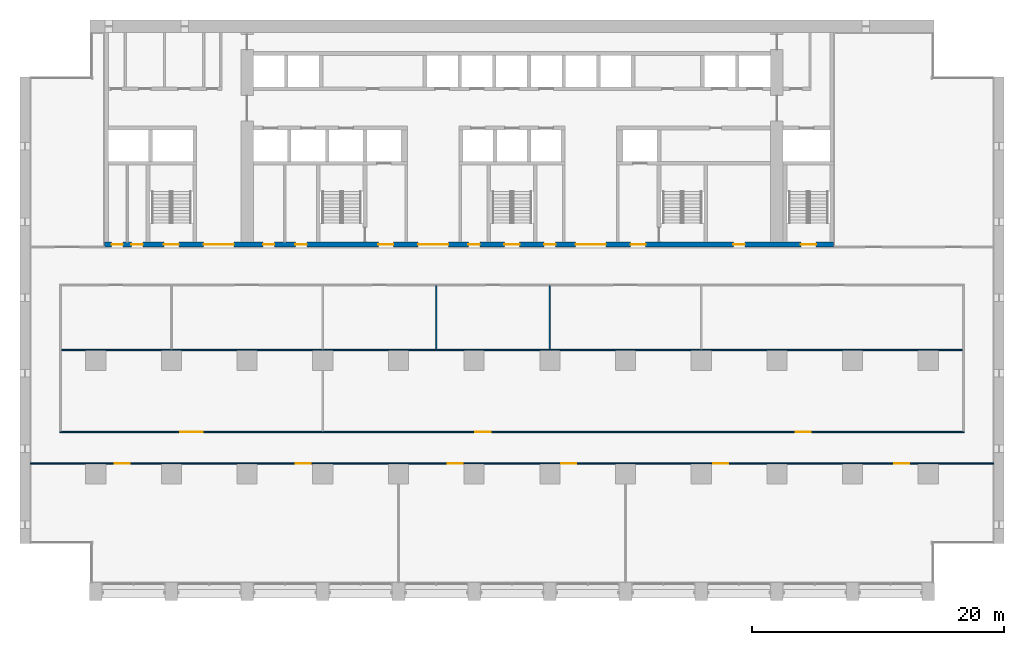
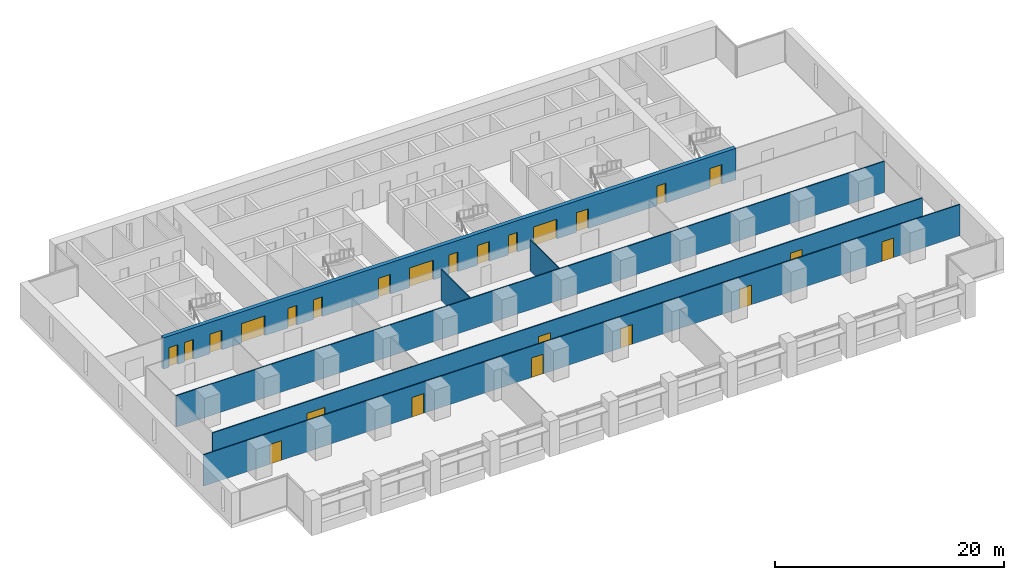
# One storey, part 9 of 17: 24 doors, 6 walls, 24 openings.
"""IFC4 building model written with IfcOpenShell, lengths in metres."""

from ifc_helpers import new_model, si_unit, direction, frame, frame_2d, origin, place, context, subcontext, project, spatial, rectangle, extrude, material, layer, layer_set, type_object, element, fill, save


model = new_model("IFC4")

# Units and contexts
model_context = context("Model", 3, precision=1e-05, world=origin(), true_north=direction((0.0, 1.0)))
body_context = subcontext(model_context, "Body", "Model", "MODEL_VIEW")
ifc_project = project(units=[si_unit("LENGTHUNIT", "METRE"), si_unit("AREAUNIT", "SQUARE_METRE"), si_unit("VOLUMEUNIT", "CUBIC_METRE"), si_unit("PLANEANGLEUNIT", "RADIAN"), si_unit("MASSUNIT", "GRAM", prefix="KILO")], contexts=[model_context])

# Site, building, storey
site_placement = place(None, origin())
site = spatial("IfcSite", under=ifc_project, at=site_placement, CompositionType="ELEMENT")
building_placement = place(site_placement, origin())
building = spatial("IfcBuilding", under=site, at=building_placement, Name="Calvaro Tower", CompositionType="ELEMENT")
storey_placement = place(building_placement, frame((0.0, 0.0, 67.5)))
storey = spatial("IfcBuildingStorey", under=building, at=storey_placement, Name="L16", CompositionType="ELEMENT", Elevation=67.5)

# Wall, openings, doors
ifc_material_1 = material(Name="Concrete C80/95", Category="concrete")
ifc_layer_1 = layer(ifc_material_1, 0.39990234375)
ifc_layer_set_1 = layer_set([ifc_layer_1], Name="Concrete C80/95")
wall_type_1 = type_object("IfcWallType", Name="Core wall C80/95 400", PredefinedType="SHEAR", material=ifc_layer_set_1)
wall_1_placement = place(storey_placement, frame((6.699951171875, 28.199951171875, 0.0), z_axis=(0.0, 0.0, 1.0), x_axis=(1.0, 0.0, 0.0)))
wall_1 = element("IfcWall", 1, at=wall_1_placement, inside=storey, type_object=wall_type_1, Name="Core wall, front", PredefinedType="SHEAR", context=body_context, shape_type="SweptSolid", body=[
    extrude(rectangle(XDim=57.800048828125, YDim=0.39990234375, at=frame_2d((28.89990234375, 0.0))), origin(), (0.0, 0.0, 1.0), 3.35009765625),
])
opening_1_placement = place(wall_1_placement, frame((12.5625, 0.0, 0.0)))
opening_1 = element("IfcOpeningElement", 2, at=opening_1_placement, cuts=wall_1, Name="Opening RD9E", PredefinedType="OPENING", context=body_context, shape_type="SweptSolid", body=[
    extrude(rectangle(XDim=0.89990234375, YDim=2.10009765625, at=frame_2d((0.449951171875, 1.050048828125))), frame((0.0, 0.2099609375, 0.0), z_axis=(0.0, -1.0, 0.0), x_axis=(1.0, 0.0, 0.0)), (0.0, 0.0, 1.0), 0.419921875),
])
opening_2_placement = place(wall_1_placement, frame((15.137451171875, 0.0, 0.0)))
opening_2 = element("IfcOpeningElement", 3, at=opening_2_placement, cuts=wall_1, Name="Opening RD9C", PredefinedType="OPENING", context=body_context, shape_type="SweptSolid", body=[
    extrude(rectangle(XDim=0.89990234375, YDim=2.10009765625, at=frame_2d((0.449951171875, 1.050048828125))), frame((0.0, 0.2099609375, 0.0), z_axis=(0.0, -1.0, 0.0), x_axis=(1.0, 0.0, 0.0)), (0.0, 0.0, 1.0), 0.419921875),
])
opening_3_placement = place(wall_1_placement, frame((49.85009765625, 0.0, 0.0)))
opening_3 = element("IfcOpeningElement", 4, at=opening_3_placement, cuts=wall_1, Name="Opening RD9E", PredefinedType="OPENING", context=body_context, shape_type="SweptSolid", body=[
    extrude(rectangle(XDim=0.89990234375, YDim=2.10009765625, at=frame_2d((0.449951171875, 1.050048828125))), frame((0.0, 0.2099609375, 0.0), z_axis=(0.0, -1.0, 0.0), x_axis=(1.0, 0.0, 0.0)), (0.0, 0.0, 1.0), 0.419921875),
])
opening_4_placement = place(wall_1_placement, frame((0.5625, 0.0, 0.0)))
opening_4 = element("IfcOpeningElement", 5, at=opening_4_placement, cuts=wall_1, Name="Opening RD9C", PredefinedType="OPENING", context=body_context, shape_type="SweptSolid", body=[
    extrude(rectangle(XDim=0.89990234375, YDim=2.10009765625, at=frame_2d((0.449951171875, 1.050048828125))), frame((0.0, 0.2099609375, 0.0), z_axis=(0.0, -1.0, 0.0), x_axis=(1.0, 0.0, 0.0)), (0.0, 0.0, 1.0), 0.419921875),
])
opening_5_placement = place(wall_1_placement, frame((2.137451171875, 0.0, 0.0)))
opening_5 = element("IfcOpeningElement", 6, at=opening_5_placement, cuts=wall_1, Name="Opening RD9E", PredefinedType="OPENING", context=body_context, shape_type="SweptSolid", body=[
    extrude(rectangle(XDim=0.89990234375, YDim=2.10009765625, at=frame_2d((0.449951171875, 1.050048828125))), frame((0.0, 0.2099609375, 0.0), z_axis=(0.0, -1.0, 0.0), x_axis=(1.0, 0.0, 0.0)), (0.0, 0.0, 1.0), 0.419921875),
])
opening_6_placement = place(wall_1_placement, frame((4.699951171875, 0.0, 0.0)))
opening_6 = element("IfcOpeningElement", 7, at=opening_6_placement, cuts=wall_1, Name="Opening SD12D", PredefinedType="OPENING", context=body_context, shape_type="SweptSolid", body=[
    extrude(rectangle(XDim=1.199951171875, YDim=2.10009765625, at=frame_2d((0.60009765625, 1.050048828125))), frame((0.0, 0.2099609375, 0.0), z_axis=(0.0, -1.0, 0.0), x_axis=(1.0, 0.0, 0.0)), (0.0, 0.0, 1.0), 0.419921875),
])
opening_7_placement = place(wall_1_placement, frame((31.699951171875, 0.0, 0.0)))
opening_7 = element("IfcOpeningElement", 8, at=opening_7_placement, cuts=wall_1, Name="Opening SD12D", PredefinedType="OPENING", context=body_context, shape_type="SweptSolid", body=[
    extrude(rectangle(XDim=1.199951171875, YDim=2.10009765625, at=frame_2d((0.60009765625, 1.050048828125))), frame((0.0, 0.2099609375, 0.0), z_axis=(0.0, -1.0, 0.0), x_axis=(1.0, 0.0, 0.0)), (0.0, 0.0, 1.0), 0.419921875),
])
opening_8_placement = place(wall_1_placement, frame((55.199951171875, 0.0, 0.0)))
opening_8 = element("IfcOpeningElement", 9, at=opening_8_placement, cuts=wall_1, Name="Opening SD12D", PredefinedType="OPENING", context=body_context, shape_type="SweptSolid", body=[
    extrude(rectangle(XDim=1.199951171875, YDim=2.10009765625, at=frame_2d((0.60009765625, 1.050048828125))), frame((0.0, 0.2099609375, 0.0), z_axis=(0.0, -1.0, 0.0), x_axis=(1.0, 0.0, 0.0)), (0.0, 0.0, 1.0), 0.419921875),
])
opening_9_placement = place(wall_1_placement, frame((21.699951171875, 0.0, 0.0)))
opening_9 = element("IfcOpeningElement", 10, at=opening_9_placement, cuts=wall_1, Name="Opening FD12F", PredefinedType="OPENING", context=body_context, shape_type="SweptSolid", body=[
    extrude(rectangle(XDim=1.199951171875, YDim=2.10009765625, at=frame_2d((0.60009765625, 1.050048828125))), frame((0.0, 0.2099609375, 0.0), z_axis=(0.0, -1.0, 0.0), x_axis=(1.0, 0.0, 0.0)), (0.0, 0.0, 1.0), 0.419921875),
])
opening_10_placement = place(wall_1_placement, frame((41.699951171875, 0.0, 0.0)))
opening_10 = element("IfcOpeningElement", 11, at=opening_10_placement, cuts=wall_1, Name="Opening FD12F", PredefinedType="OPENING", context=body_context, shape_type="SweptSolid", body=[
    extrude(rectangle(XDim=1.199951171875, YDim=2.10009765625, at=frame_2d((0.60009765625, 1.050048828125))), frame((0.0, 0.2099609375, 0.0), z_axis=(0.0, -1.0, 0.0), x_axis=(1.0, 0.0, 0.0)), (0.0, 0.0, 1.0), 0.419921875),
])
opening_11_placement = place(wall_1_placement, frame((24.85009765625, 0.0, 0.0)))
opening_11 = element("IfcOpeningElement", 12, at=opening_11_placement, cuts=wall_1, Name="Opening DD24D", PredefinedType="OPENING", context=body_context, shape_type="SweptSolid", body=[
    extrude(rectangle(XDim=2.39990234375, YDim=2.10009765625, at=frame_2d((1.199951171875, 1.050048828125))), frame((0.0, 0.2099609375, 0.0), z_axis=(0.0, -1.0, 0.0), x_axis=(1.0, 0.0, 0.0)), (0.0, 0.0, 1.0), 0.419921875),
])
opening_12_placement = place(wall_1_placement, frame((37.35009765625, 0.0, 0.0)))
opening_12 = element("IfcOpeningElement", 13, at=opening_12_placement, cuts=wall_1, Name="Opening DD24D", PredefinedType="OPENING", context=body_context, shape_type="SweptSolid", body=[
    extrude(rectangle(XDim=2.39990234375, YDim=2.10009765625, at=frame_2d((1.199951171875, 1.050048828125))), frame((0.0, 0.2099609375, 0.0), z_axis=(0.0, -1.0, 0.0), x_axis=(1.0, 0.0, 0.0)), (0.0, 0.0, 1.0), 0.419921875),
])
opening_13_placement = place(wall_1_placement, frame((7.85009765625, 0.0, 0.0)))
opening_13 = element("IfcOpeningElement", 14, at=opening_13_placement, cuts=wall_1, Name="Opening DD24D", PredefinedType="OPENING", context=body_context, shape_type="SweptSolid", body=[
    extrude(rectangle(XDim=2.39990234375, YDim=2.10009765625, at=frame_2d((1.199951171875, 1.050048828125))), frame((0.0, 0.2099609375, 0.0), z_axis=(0.0, -1.0, 0.0), x_axis=(1.0, 0.0, 0.0)), (0.0, 0.0, 1.0), 0.419921875),
])
opening_14_placement = place(wall_1_placement, frame((28.85009765625, 0.0, 0.0)))
opening_14 = element("IfcOpeningElement", 15, at=opening_14_placement, cuts=wall_1, Name="Opening RD9E", PredefinedType="OPENING", context=body_context, shape_type="SweptSolid", body=[
    extrude(rectangle(XDim=0.89990234375, YDim=2.10009765625, at=frame_2d((0.449951171875, 1.050048828125))), frame((0.0, 0.2099609375, 0.0), z_axis=(0.0, -1.0, 0.0), x_axis=(1.0, 0.0, 0.0)), (0.0, 0.0, 1.0), 0.419921875),
])
opening_15_placement = place(wall_1_placement, frame((34.85009765625, 0.0, 0.0)))
opening_15 = element("IfcOpeningElement", 16, at=opening_15_placement, cuts=wall_1, Name="Opening RD9E", PredefinedType="OPENING", context=body_context, shape_type="SweptSolid", body=[
    extrude(rectangle(XDim=0.89990234375, YDim=2.10009765625, at=frame_2d((0.449951171875, 1.050048828125))), frame((0.0, 0.2099609375, 0.0), z_axis=(0.0, -1.0, 0.0), x_axis=(1.0, 0.0, 0.0)), (0.0, 0.0, 1.0), 0.419921875),
])
ifc_material_2 = material(Name="Steel door set", Category="steel")
door_type_1 = type_object("IfcDoorType", Name="Fire door 1200 FD60S", OperationType="SINGLE_SWING_LEFT", PredefinedType="DOOR", material=ifc_material_2)
door_1_placement = place(opening_9_placement, origin())
door_1 = element("IfcDoor", 17, at=door_1_placement, inside=storey, type_object=door_type_1, Name="Fire door", OperationType="SINGLE_SWING_LEFT", OverallHeight=2.10009765625, OverallWidth=1.199951171875, PredefinedType="DOOR", context=body_context, shape_type="SweptSolid", body=[
    extrude(rectangle(XDim=1.199951171875, YDim=2.10009765625, at=frame_2d((0.60009765625, 1.050048828125))), frame((0.0, 0.02490234375, 0.0), z_axis=(0.0, -1.0, 0.0), x_axis=(1.0, 0.0, 0.0)), (0.0, 0.0, 1.0), 0.050048828125),
])
fill(opening_9, door_1)
door_2_placement = place(opening_10_placement, origin())
door_2 = element("IfcDoor", 18, at=door_2_placement, inside=storey, type_object=door_type_1, Name="Fire door", OperationType="SINGLE_SWING_LEFT", OverallHeight=2.10009765625, OverallWidth=1.199951171875, PredefinedType="DOOR", context=body_context, shape_type="SweptSolid", body=[
    extrude(rectangle(XDim=1.199951171875, YDim=2.10009765625, at=frame_2d((0.60009765625, 1.050048828125))), frame((0.0, 0.02490234375, 0.0), z_axis=(0.0, -1.0, 0.0), x_axis=(1.0, 0.0, 0.0)), (0.0, 0.0, 1.0), 0.050048828125),
])
fill(opening_10, door_2)
ifc_material_3 = material(Name="Steel door set", Category="steel")
door_type_2 = type_object("IfcDoorType", Name="Lobby double door 2400 FD30S", OperationType="DOUBLE_DOOR_SINGLE_SWING", PredefinedType="DOOR", material=ifc_material_3)
door_3_placement = place(opening_11_placement, origin())
door_3 = element("IfcDoor", 19, at=door_3_placement, inside=storey, type_object=door_type_2, Name="Lobby double door", OperationType="DOUBLE_DOOR_SINGLE_SWING", OverallHeight=2.10009765625, OverallWidth=2.39990234375, PredefinedType="DOOR", context=body_context, shape_type="SweptSolid", body=[
    extrude(rectangle(XDim=2.39990234375, YDim=2.10009765625, at=frame_2d((1.199951171875, 1.050048828125))), frame((0.0, 0.02490234375, 0.0), z_axis=(0.0, -1.0, 0.0), x_axis=(1.0, 0.0, 0.0)), (0.0, 0.0, 1.0), 0.050048828125),
])
fill(opening_11, door_3)
door_4_placement = place(opening_12_placement, origin())
door_4 = element("IfcDoor", 20, at=door_4_placement, inside=storey, type_object=door_type_2, Name="Lobby double door", OperationType="DOUBLE_DOOR_SINGLE_SWING", OverallHeight=2.10009765625, OverallWidth=2.39990234375, PredefinedType="DOOR", context=body_context, shape_type="SweptSolid", body=[
    extrude(rectangle(XDim=2.39990234375, YDim=2.10009765625, at=frame_2d((1.199951171875, 1.050048828125))), frame((0.0, 0.02490234375, 0.0), z_axis=(0.0, -1.0, 0.0), x_axis=(1.0, 0.0, 0.0)), (0.0, 0.0, 1.0), 0.050048828125),
])
fill(opening_12, door_4)
door_5_placement = place(opening_13_placement, origin())
door_5 = element("IfcDoor", 21, at=door_5_placement, inside=storey, type_object=door_type_2, Name="Lobby double door", OperationType="DOUBLE_DOOR_SINGLE_SWING", OverallHeight=2.10009765625, OverallWidth=2.39990234375, PredefinedType="DOOR", context=body_context, shape_type="SweptSolid", body=[
    extrude(rectangle(XDim=2.39990234375, YDim=2.10009765625, at=frame_2d((1.199951171875, 1.050048828125))), frame((0.0, 0.02490234375, 0.0), z_axis=(0.0, -1.0, 0.0), x_axis=(1.0, 0.0, 0.0)), (0.0, 0.0, 1.0), 0.050048828125),
])
fill(opening_13, door_5)
ifc_material_4 = material(Name="Steel door set", Category="steel")
door_type_3 = type_object("IfcDoorType", Name="Room door 900 FD30", OperationType="SINGLE_SWING_LEFT", PredefinedType="DOOR", material=ifc_material_4)
door_6_placement = place(opening_2_placement, origin())
door_6 = element("IfcDoor", 22, at=door_6_placement, inside=storey, type_object=door_type_3, Name="Room door", OperationType="SINGLE_SWING_RIGHT", OverallHeight=2.10009765625, OverallWidth=0.89990234375, PredefinedType="DOOR", context=body_context, shape_type="SweptSolid", body=[
    extrude(rectangle(XDim=0.89990234375, YDim=2.10009765625, at=frame_2d((0.449951171875, 1.050048828125))), frame((0.0, 0.02490234375, 0.0), z_axis=(0.0, -1.0, 0.0), x_axis=(1.0, 0.0, 0.0)), (0.0, 0.0, 1.0), 0.050048828125),
])
fill(opening_2, door_6)
door_7_placement = place(opening_4_placement, origin())
door_7 = element("IfcDoor", 23, at=door_7_placement, inside=storey, type_object=door_type_3, Name="Room door", OperationType="SINGLE_SWING_LEFT", OverallHeight=2.10009765625, OverallWidth=0.89990234375, PredefinedType="DOOR", context=body_context, shape_type="SweptSolid", body=[
    extrude(rectangle(XDim=0.89990234375, YDim=2.10009765625, at=frame_2d((0.449951171875, 1.050048828125))), frame((0.0, 0.02490234375, 0.0), z_axis=(0.0, -1.0, 0.0), x_axis=(1.0, 0.0, 0.0)), (0.0, 0.0, 1.0), 0.050048828125),
])
fill(opening_4, door_7)
ifc_material_5 = material(Name="Steel door set", Category="steel")
door_type_4 = type_object("IfcDoorType", Name="Room door 900 FD60", OperationType="SINGLE_SWING_LEFT", PredefinedType="DOOR", material=ifc_material_5)
door_8_placement = place(opening_1_placement, origin())
door_8 = element("IfcDoor", 24, at=door_8_placement, inside=storey, type_object=door_type_4, Name="Room door", OperationType="SINGLE_SWING_LEFT", OverallHeight=2.10009765625, OverallWidth=0.89990234375, PredefinedType="DOOR", context=body_context, shape_type="SweptSolid", body=[
    extrude(rectangle(XDim=0.89990234375, YDim=2.10009765625, at=frame_2d((0.449951171875, 1.050048828125))), frame((0.0, 0.02490234375, 0.0), z_axis=(0.0, -1.0, 0.0), x_axis=(1.0, 0.0, 0.0)), (0.0, 0.0, 1.0), 0.050048828125),
])
fill(opening_1, door_8)
door_9_placement = place(opening_3_placement, origin())
door_9 = element("IfcDoor", 25, at=door_9_placement, inside=storey, type_object=door_type_4, Name="Room door", OperationType="SINGLE_SWING_LEFT", OverallHeight=2.10009765625, OverallWidth=0.89990234375, PredefinedType="DOOR", context=body_context, shape_type="SweptSolid", body=[
    extrude(rectangle(XDim=0.89990234375, YDim=2.10009765625, at=frame_2d((0.449951171875, 1.050048828125))), frame((0.0, 0.02490234375, 0.0), z_axis=(0.0, -1.0, 0.0), x_axis=(1.0, 0.0, 0.0)), (0.0, 0.0, 1.0), 0.050048828125),
])
fill(opening_3, door_9)
door_10_placement = place(opening_5_placement, origin())
door_10 = element("IfcDoor", 26, at=door_10_placement, inside=storey, type_object=door_type_4, Name="Room door", OperationType="SINGLE_SWING_LEFT", OverallHeight=2.10009765625, OverallWidth=0.89990234375, PredefinedType="DOOR", context=body_context, shape_type="SweptSolid", body=[
    extrude(rectangle(XDim=0.89990234375, YDim=2.10009765625, at=frame_2d((0.449951171875, 1.050048828125))), frame((0.0, 0.02490234375, 0.0), z_axis=(0.0, -1.0, 0.0), x_axis=(1.0, 0.0, 0.0)), (0.0, 0.0, 1.0), 0.050048828125),
])
fill(opening_5, door_10)
door_11_placement = place(opening_14_placement, origin())
door_11 = element("IfcDoor", 27, at=door_11_placement, inside=storey, type_object=door_type_4, Name="Room door", OperationType="SINGLE_SWING_LEFT", OverallHeight=2.10009765625, OverallWidth=0.89990234375, PredefinedType="DOOR", context=body_context, shape_type="SweptSolid", body=[
    extrude(rectangle(XDim=0.89990234375, YDim=2.10009765625, at=frame_2d((0.449951171875, 1.050048828125))), frame((0.0, 0.02490234375, 0.0), z_axis=(0.0, -1.0, 0.0), x_axis=(1.0, 0.0, 0.0)), (0.0, 0.0, 1.0), 0.050048828125),
])
fill(opening_14, door_11)
door_12_placement = place(opening_15_placement, origin())
door_12 = element("IfcDoor", 28, at=door_12_placement, inside=storey, type_object=door_type_4, Name="Room door", OperationType="SINGLE_SWING_LEFT", OverallHeight=2.10009765625, OverallWidth=0.89990234375, PredefinedType="DOOR", context=body_context, shape_type="SweptSolid", body=[
    extrude(rectangle(XDim=0.89990234375, YDim=2.10009765625, at=frame_2d((0.449951171875, 1.050048828125))), frame((0.0, 0.02490234375, 0.0), z_axis=(0.0, -1.0, 0.0), x_axis=(1.0, 0.0, 0.0)), (0.0, 0.0, 1.0), 0.050048828125),
])
fill(opening_15, door_12)
ifc_material_6 = material(Name="Steel door set", Category="steel")
door_type_5 = type_object("IfcDoorType", Name="Stair door 1200 FD30S", OperationType="SINGLE_SWING_LEFT", PredefinedType="DOOR", material=ifc_material_6)
door_13_placement = place(opening_6_placement, origin())
door_13 = element("IfcDoor", 29, at=door_13_placement, inside=storey, type_object=door_type_5, Name="Stair door", OperationType="SINGLE_SWING_LEFT", OverallHeight=2.10009765625, OverallWidth=1.199951171875, PredefinedType="DOOR", context=body_context, shape_type="SweptSolid", body=[
    extrude(rectangle(XDim=1.199951171875, YDim=2.10009765625, at=frame_2d((0.60009765625, 1.050048828125))), frame((0.0, 0.02490234375, 0.0), z_axis=(0.0, -1.0, 0.0), x_axis=(1.0, 0.0, 0.0)), (0.0, 0.0, 1.0), 0.050048828125),
])
fill(opening_6, door_13)
door_14_placement = place(opening_7_placement, origin())
door_14 = element("IfcDoor", 30, at=door_14_placement, inside=storey, type_object=door_type_5, Name="Stair door", OperationType="SINGLE_SWING_LEFT", OverallHeight=2.10009765625, OverallWidth=1.199951171875, PredefinedType="DOOR", context=body_context, shape_type="SweptSolid", body=[
    extrude(rectangle(XDim=1.199951171875, YDim=2.10009765625, at=frame_2d((0.60009765625, 1.050048828125))), frame((0.0, 0.02490234375, 0.0), z_axis=(0.0, -1.0, 0.0), x_axis=(1.0, 0.0, 0.0)), (0.0, 0.0, 1.0), 0.050048828125),
])
fill(opening_7, door_14)
door_15_placement = place(opening_8_placement, origin())
door_15 = element("IfcDoor", 31, at=door_15_placement, inside=storey, type_object=door_type_5, Name="Stair door", OperationType="SINGLE_SWING_LEFT", OverallHeight=2.10009765625, OverallWidth=1.199951171875, PredefinedType="DOOR", context=body_context, shape_type="SweptSolid", body=[
    extrude(rectangle(XDim=1.199951171875, YDim=2.10009765625, at=frame_2d((0.60009765625, 1.050048828125))), frame((0.0, 0.02490234375, 0.0), z_axis=(0.0, -1.0, 0.0), x_axis=(1.0, 0.0, 0.0)), (0.0, 0.0, 1.0), 0.050048828125),
])
fill(opening_8, door_15)

ifc_material_7 = material(Name="Plasterboard on steel studs", Category="steel")
ifc_layer_2 = layer(ifc_material_7, 0.10009765625)
ifc_layer_set_2 = layer_set([ifc_layer_2], Name="Plasterboard on steel studs")
wall_type_2 = type_object("IfcWallType", Name="Partition 100", PredefinedType="PARTITIONING", material=ifc_layer_set_2)
wall_2_placement = place(storey_placement, frame((0.800048828125, 10.85009765625, 0.0), z_axis=(0.0, 0.0, 1.0), x_axis=(1.0, 0.0, 0.0)))
wall_2 = element("IfcWall", 32, at=wall_2_placement, inside=storey, type_object=wall_type_2, Name="Partition T13.W001", PredefinedType="PARTITIONING", context=body_context, shape_type="SweptSolid", body=[
    extrude(rectangle(XDim=76.39990234375, YDim=0.10009765625, at=frame_2d((38.199951171875, 0.0))), origin(), (0.0, 0.0, 1.0), 3.35009765625),
])
opening_16_placement = place(wall_2_placement, frame((33.10009765625, 0.0, 0.0)))
opening_16 = element("IfcOpeningElement", 33, at=opening_16_placement, cuts=wall_2, Name="Opening T13.001", PredefinedType="OPENING", context=body_context, shape_type="SweptSolid", body=[
    extrude(rectangle(XDim=1.199951171875, YDim=2.10009765625, at=frame_2d((0.60009765625, 1.050048828125))), frame((0.0, 0.06005859375, 0.0), z_axis=(0.0, -1.0, 0.0), x_axis=(1.0, 0.0, 0.0)), (0.0, 0.0, 1.0), 0.1201171875),
])
opening_17_placement = place(wall_2_placement, frame((42.10009765625, 0.0, 0.0)))
opening_17 = element("IfcOpeningElement", 34, at=opening_17_placement, cuts=wall_2, Name="Opening T13.002", PredefinedType="OPENING", context=body_context, shape_type="SweptSolid", body=[
    extrude(rectangle(XDim=1.199951171875, YDim=2.10009765625, at=frame_2d((0.60009765625, 1.050048828125))), frame((0.0, 0.06005859375, 0.0), z_axis=(0.0, -1.0, 0.0), x_axis=(1.0, 0.0, 0.0)), (0.0, 0.0, 1.0), 0.1201171875),
])
opening_18_placement = place(wall_2_placement, frame((6.699951171875, 0.0, 0.0)))
opening_18 = element("IfcOpeningElement", 35, at=opening_18_placement, cuts=wall_2, Name="Opening T13.003", PredefinedType="OPENING", context=body_context, shape_type="SweptSolid", body=[
    extrude(rectangle(XDim=1.199951171875, YDim=2.10009765625, at=frame_2d((0.60009765625, 1.050048828125))), frame((0.0, 0.06005859375, 0.0), z_axis=(0.0, -1.0, 0.0), x_axis=(1.0, 0.0, 0.0)), (0.0, 0.0, 1.0), 0.1201171875),
])
opening_19_placement = place(wall_2_placement, frame((21.050048828125, 0.0, 0.0)))
opening_19 = element("IfcOpeningElement", 36, at=opening_19_placement, cuts=wall_2, Name="Opening T13.004", PredefinedType="OPENING", context=body_context, shape_type="SweptSolid", body=[
    extrude(rectangle(XDim=1.199951171875, YDim=2.10009765625, at=frame_2d((0.60009765625, 1.050048828125))), frame((0.0, 0.06005859375, 0.0), z_axis=(0.0, -1.0, 0.0), x_axis=(1.0, 0.0, 0.0)), (0.0, 0.0, 1.0), 0.1201171875),
])
opening_20_placement = place(wall_2_placement, frame((54.14990234375, 0.0, 0.0)))
opening_20 = element("IfcOpeningElement", 37, at=opening_20_placement, cuts=wall_2, Name="Opening T13.005", PredefinedType="OPENING", context=body_context, shape_type="SweptSolid", body=[
    extrude(rectangle(XDim=1.199951171875, YDim=2.10009765625, at=frame_2d((0.60009765625, 1.050048828125))), frame((0.0, 0.06005859375, 0.0), z_axis=(0.0, -1.0, 0.0), x_axis=(1.0, 0.0, 0.0)), (0.0, 0.0, 1.0), 0.1201171875),
])
opening_21_placement = place(wall_2_placement, frame((68.5, 0.0, 0.0)))
opening_21 = element("IfcOpeningElement", 38, at=opening_21_placement, cuts=wall_2, Name="Opening T13.006", PredefinedType="OPENING", context=body_context, shape_type="SweptSolid", body=[
    extrude(rectangle(XDim=1.199951171875, YDim=2.10009765625, at=frame_2d((0.60009765625, 1.050048828125))), frame((0.0, 0.06005859375, 0.0), z_axis=(0.0, -1.0, 0.0), x_axis=(1.0, 0.0, 0.0)), (0.0, 0.0, 1.0), 0.1201171875),
])
ifc_material_8 = material(Name="Timber", Category="wood")
door_type_6 = type_object("IfcDoorType", Name="Internal single door 1200 x 2100", OperationType="SINGLE_SWING_LEFT", PredefinedType="DOOR", material=ifc_material_8)
door_16_placement = place(opening_16_placement, origin())
door_16 = element("IfcDoor", 39, at=door_16_placement, inside=storey, type_object=door_type_6, Name="Door T13.001", OperationType="SINGLE_SWING_LEFT", OverallHeight=2.10009765625, OverallWidth=1.199951171875, PredefinedType="DOOR", context=body_context, shape_type="SweptSolid", body=[
    extrude(rectangle(XDim=1.199951171875, YDim=2.10009765625, at=frame_2d((0.60009765625, 1.050048828125))), frame((0.0, 0.02490234375, 0.0), z_axis=(0.0, -1.0, 0.0), x_axis=(1.0, 0.0, 0.0)), (0.0, 0.0, 1.0), 0.050048828125),
])
fill(opening_16, door_16)
door_17_placement = place(opening_17_placement, origin())
door_17 = element("IfcDoor", 40, at=door_17_placement, inside=storey, type_object=door_type_6, Name="Door T13.002", OperationType="SINGLE_SWING_RIGHT", OverallHeight=2.10009765625, OverallWidth=1.199951171875, PredefinedType="DOOR", context=body_context, shape_type="SweptSolid", body=[
    extrude(rectangle(XDim=1.199951171875, YDim=2.10009765625, at=frame_2d((0.60009765625, 1.050048828125))), frame((0.0, 0.02490234375, 0.0), z_axis=(0.0, -1.0, 0.0), x_axis=(1.0, 0.0, 0.0)), (0.0, 0.0, 1.0), 0.050048828125),
])
fill(opening_17, door_17)
door_18_placement = place(opening_18_placement, origin())
door_18 = element("IfcDoor", 41, at=door_18_placement, inside=storey, type_object=door_type_6, Name="Door T13.003", OperationType="SINGLE_SWING_LEFT", OverallHeight=2.10009765625, OverallWidth=1.199951171875, PredefinedType="DOOR", context=body_context, shape_type="SweptSolid", body=[
    extrude(rectangle(XDim=1.199951171875, YDim=2.10009765625, at=frame_2d((0.60009765625, 1.050048828125))), frame((0.0, 0.02490234375, 0.0), z_axis=(0.0, -1.0, 0.0), x_axis=(1.0, 0.0, 0.0)), (0.0, 0.0, 1.0), 0.050048828125),
])
fill(opening_18, door_18)
door_19_placement = place(opening_19_placement, origin())
door_19 = element("IfcDoor", 42, at=door_19_placement, inside=storey, type_object=door_type_6, Name="Door T13.004", OperationType="SINGLE_SWING_LEFT", OverallHeight=2.10009765625, OverallWidth=1.199951171875, PredefinedType="DOOR", context=body_context, shape_type="SweptSolid", body=[
    extrude(rectangle(XDim=1.199951171875, YDim=2.10009765625, at=frame_2d((0.60009765625, 1.050048828125))), frame((0.0, 0.02490234375, 0.0), z_axis=(0.0, -1.0, 0.0), x_axis=(1.0, 0.0, 0.0)), (0.0, 0.0, 1.0), 0.050048828125),
])
fill(opening_19, door_19)
door_20_placement = place(opening_20_placement, origin())
door_20 = element("IfcDoor", 43, at=door_20_placement, inside=storey, type_object=door_type_6, Name="Door T13.005", OperationType="SINGLE_SWING_RIGHT", OverallHeight=2.10009765625, OverallWidth=1.199951171875, PredefinedType="DOOR", context=body_context, shape_type="SweptSolid", body=[
    extrude(rectangle(XDim=1.199951171875, YDim=2.10009765625, at=frame_2d((0.60009765625, 1.050048828125))), frame((0.0, 0.02490234375, 0.0), z_axis=(0.0, -1.0, 0.0), x_axis=(1.0, 0.0, 0.0)), (0.0, 0.0, 1.0), 0.050048828125),
])
fill(opening_20, door_20)
door_21_placement = place(opening_21_placement, origin())
door_21 = element("IfcDoor", 44, at=door_21_placement, inside=storey, type_object=door_type_6, Name="Door T13.006", OperationType="SINGLE_SWING_RIGHT", OverallHeight=2.10009765625, OverallWidth=1.199951171875, PredefinedType="DOOR", context=body_context, shape_type="SweptSolid", body=[
    extrude(rectangle(XDim=1.199951171875, YDim=2.10009765625, at=frame_2d((0.60009765625, 1.050048828125))), frame((0.0, 0.02490234375, 0.0), z_axis=(0.0, -1.0, 0.0), x_axis=(1.0, 0.0, 0.0)), (0.0, 0.0, 1.0), 0.050048828125),
])
fill(opening_21, door_21)

wall_3_placement = place(storey_placement, frame((3.14990234375, 13.35009765625, 0.0), z_axis=(0.0, 0.0, 1.0), x_axis=(1.0, 0.0, 0.0)))
wall_3 = element("IfcWall", 45, at=wall_3_placement, inside=storey, type_object=wall_type_2, Name="Partition T13.W002", PredefinedType="PARTITIONING", context=body_context, shape_type="SweptSolid", body=[
    extrude(rectangle(XDim=71.7001953125, YDim=0.10009765625, at=frame_2d((35.85009765625, 0.0))), origin(), (0.0, 0.0, 1.0), 3.35009765625),
])
opening_22_placement = place(wall_3_placement, frame((9.550048828125, 0.0, 0.0)))
opening_22 = element("IfcOpeningElement", 46, at=opening_22_placement, cuts=wall_3, Name="Opening T13.007", PredefinedType="OPENING", context=body_context, shape_type="SweptSolid", body=[
    extrude(rectangle(XDim=1.800048828125, YDim=2.10009765625, at=frame_2d((0.89990234375, 1.050048828125))), frame((0.0, 0.06005859375, 0.0), z_axis=(0.0, -1.0, 0.0), x_axis=(1.0, 0.0, 0.0)), (0.0, 0.0, 1.0), 0.1201171875),
])
opening_23_placement = place(wall_3_placement, frame((32.949951171875, 0.0, 0.0)))
opening_23 = element("IfcOpeningElement", 47, at=opening_23_placement, cuts=wall_3, Name="Opening T13.008", PredefinedType="OPENING", context=body_context, shape_type="SweptSolid", body=[
    extrude(rectangle(XDim=1.199951171875, YDim=2.10009765625, at=frame_2d((0.60009765625, 1.050048828125))), frame((0.0, 0.06005859375, 0.0), z_axis=(0.0, -1.0, 0.0), x_axis=(1.0, 0.0, 0.0)), (0.0, 0.0, 1.0), 0.1201171875),
])
opening_24_placement = place(wall_3_placement, frame((58.35009765625, 0.0, 0.0)))
opening_24 = element("IfcOpeningElement", 48, at=opening_24_placement, cuts=wall_3, Name="Opening T13.009", PredefinedType="OPENING", context=body_context, shape_type="SweptSolid", body=[
    extrude(rectangle(XDim=1.199951171875, YDim=2.10009765625, at=frame_2d((0.60009765625, 1.050048828125))), frame((0.0, 0.06005859375, 0.0), z_axis=(0.0, -1.0, 0.0), x_axis=(1.0, 0.0, 0.0)), (0.0, 0.0, 1.0), 0.1201171875),
])
ifc_material_9 = material(Name="Timber", Category="wood")
door_type_7 = type_object("IfcDoorType", Name="Internal double door 1800 x 2100", OperationType="DOUBLE_DOOR_SINGLE_SWING", PredefinedType="DOOR", material=ifc_material_9)
door_22_placement = place(opening_22_placement, origin())
door_22 = element("IfcDoor", 49, at=door_22_placement, inside=storey, type_object=door_type_7, Name="Door T13.007", OperationType="DOUBLE_DOOR_SINGLE_SWING", OverallHeight=2.10009765625, OverallWidth=1.800048828125, PredefinedType="DOOR", context=body_context, shape_type="SweptSolid", body=[
    extrude(rectangle(XDim=1.800048828125, YDim=2.10009765625, at=frame_2d((0.89990234375, 1.050048828125))), frame((0.0, 0.02490234375, 0.0), z_axis=(0.0, -1.0, 0.0), x_axis=(1.0, 0.0, 0.0)), (0.0, 0.0, 1.0), 0.050048828125),
])
fill(opening_22, door_22)
door_23_placement = place(opening_23_placement, origin())
door_23 = element("IfcDoor", 50, at=door_23_placement, inside=storey, type_object=door_type_6, Name="Door T13.008", OperationType="SINGLE_SWING_LEFT", OverallHeight=2.10009765625, OverallWidth=1.199951171875, PredefinedType="DOOR", context=body_context, shape_type="SweptSolid", body=[
    extrude(rectangle(XDim=1.199951171875, YDim=2.10009765625, at=frame_2d((0.60009765625, 1.050048828125))), frame((0.0, 0.02490234375, 0.0), z_axis=(0.0, -1.0, 0.0), x_axis=(1.0, 0.0, 0.0)), (0.0, 0.0, 1.0), 0.050048828125),
])
fill(opening_23, door_23)
door_24_placement = place(opening_24_placement, origin())
door_24 = element("IfcDoor", 51, at=door_24_placement, inside=storey, type_object=door_type_6, Name="Door T13.009", OperationType="SINGLE_SWING_RIGHT", OverallHeight=2.10009765625, OverallWidth=1.199951171875, PredefinedType="DOOR", context=body_context, shape_type="SweptSolid", body=[
    extrude(rectangle(XDim=1.199951171875, YDim=2.10009765625, at=frame_2d((0.60009765625, 1.050048828125))), frame((0.0, 0.02490234375, 0.0), z_axis=(0.0, -1.0, 0.0), x_axis=(1.0, 0.0, 0.0)), (0.0, 0.0, 1.0), 0.050048828125),
])
fill(opening_24, door_24)

# Walls
ifc_material_10 = material(Name="Plasterboard on steel studs", Category="steel")
ifc_layer_3 = layer(ifc_material_10, 0.10009765625)
ifc_layer_set_3 = layer_set([ifc_layer_3], Name="Plasterboard on steel studs")
wall_type_3 = type_object("IfcWallType", Name="Partition 100 REI 120", PredefinedType="PARTITIONING", material=ifc_layer_set_3)
wall_4_placement = place(storey_placement, frame((3.25, 19.85009765625, 0.0), z_axis=(0.0, 0.0, 1.0), x_axis=(1.0, 0.0, 0.0)))
element("IfcWall", 52, at=wall_4_placement, inside=storey, type_object=wall_type_3, Name="Partition T13.W003", PredefinedType="PARTITIONING", context=body_context, shape_type="SweptSolid", body=[
    extrude(rectangle(XDim=71.5, YDim=0.10009765625, at=frame_2d((35.75, 0.0))), origin(), (0.0, 0.0, 1.0), 3.35009765625),
])
for number, where, z_axis, x_axis, name in (
    (53, (33.0, 19.89990234375, 0.0), (0.0, 0.0, 1.0), (0.0, 1.0, 0.0), "Partition T13.W012"),
    (54, (42.0, 19.89990234375, 0.0), (0.0, 0.0, 1.0), (0.0, 1.0, 0.0), "Partition T13.W013"),
):
    element("IfcWall", number, at=place(storey_placement, frame(where, z_axis=z_axis, x_axis=x_axis)), inside=storey, type_object=wall_type_3, Name=name, PredefinedType="PARTITIONING", context=body_context, shape_type="SweptSolid", body=[
        extrude(rectangle(XDim=5.050048828125, YDim=0.10009765625, at=frame_2d((2.52490234375, 0.0))), origin(), (0.0, 0.0, 1.0), 3.35009765625),
    ])

save(model, "model.ifc")
